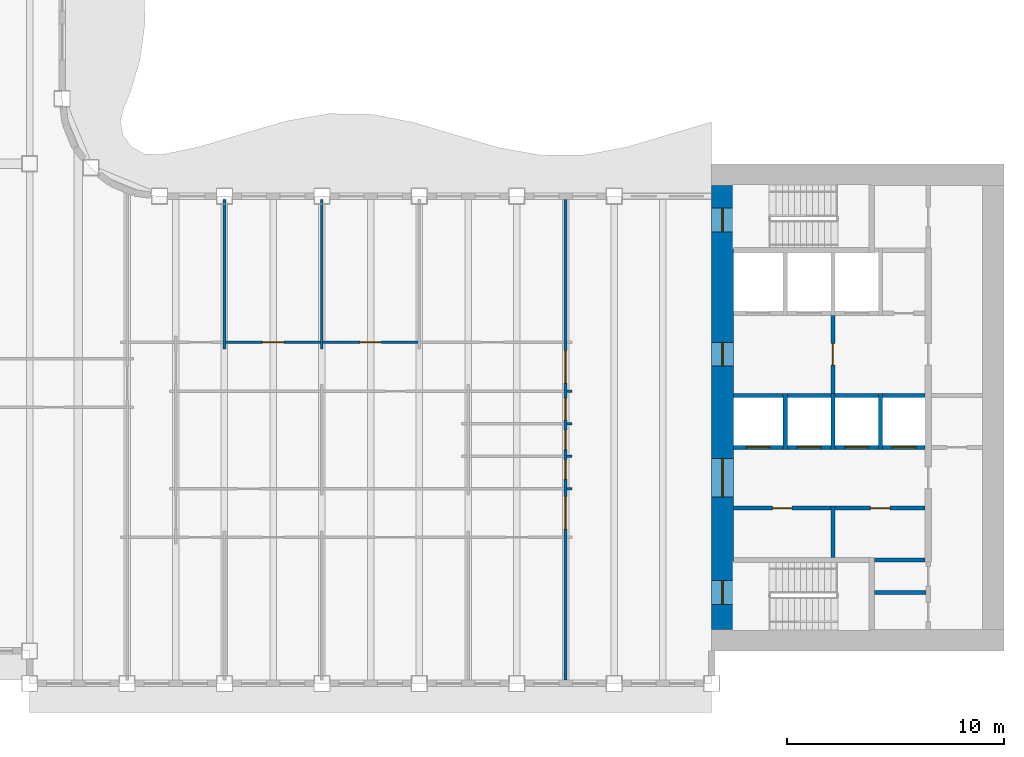
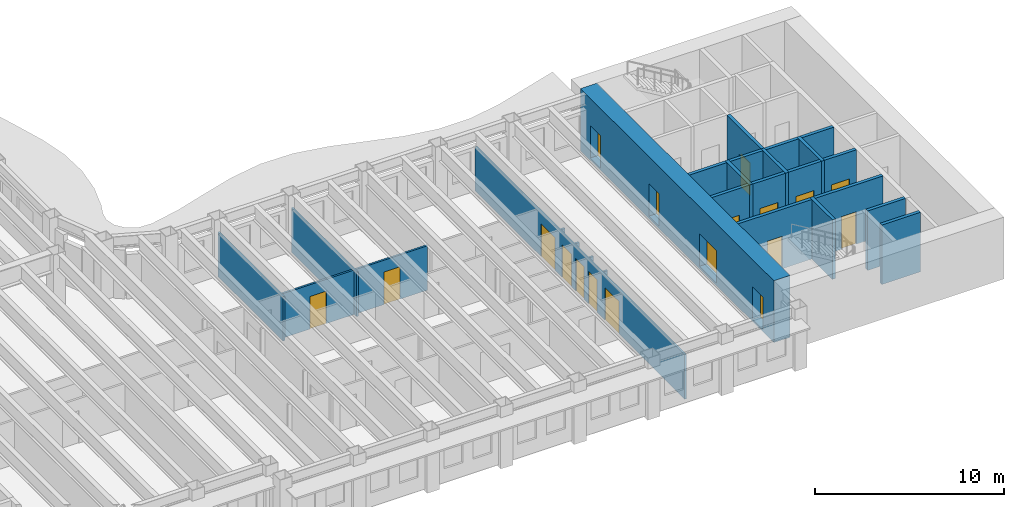
# One storey, part 6 of 16: 27 walls, 18 doors, 18 openings.
"""IFC4 building model written with IfcOpenShell, lengths in metres."""

from ifc_helpers import new_model, si_unit, direction, frame, frame_2d, origin, place, context, subcontext, project, spatial, rectangle, extrude, material, layer, layer_set, type_object, element, fill, save


model = new_model("IFC4")

# Units and contexts
model_context = context("Model", 3, precision=1e-05, world=origin(), true_north=direction((0.0, 1.0)))
body_context = subcontext(model_context, "Body", "Model", "MODEL_VIEW")
ifc_project = project(units=[si_unit("LENGTHUNIT", "METRE"), si_unit("AREAUNIT", "SQUARE_METRE"), si_unit("VOLUMEUNIT", "CUBIC_METRE"), si_unit("PLANEANGLEUNIT", "RADIAN"), si_unit("MASSUNIT", "GRAM", prefix="KILO")], contexts=[model_context])

# Site, building, storey
site_placement = place(None, origin())
site = spatial("IfcSite", under=ifc_project, at=site_placement, CompositionType="ELEMENT")
building_placement = place(site_placement, origin())
building = spatial("IfcBuilding", under=site, at=building_placement, Name="Sennacour Bend Tower", CompositionType="ELEMENT")
storey_placement = place(building_placement, frame((0.0, 0.0, 207.0)))
storey = spatial("IfcBuildingStorey", under=building, at=storey_placement, Name="L47", CompositionType="ELEMENT", Elevation=207.0)

# Wall, openings, doors
ifc_material_1 = material(Name="Concrete C60/75", Category="concrete")
ifc_layer_1 = layer(ifc_material_1, 1.0, Name="Concrete C60/75", Category="concrete")
ifc_layer_set_1 = layer_set([ifc_layer_1], Name="Concrete C60/75")
wall_type_1 = type_object("IfcWallType", Name="Core wall 1000 C60/75", PredefinedType="SHEAR", material=ifc_layer_set_1)
wall_1_placement = place(storey_placement, frame((54.5, 1.0, -0.14990234375), z_axis=(0.0, 0.0, 1.0), x_axis=(0.0, 1.0, 0.0)))
wall_1 = element("IfcWall", 1, at=wall_1_placement, inside=storey, type_object=wall_type_1, Name="Core A wall L47 W", PredefinedType="SHEAR", context=body_context, shape_type="SweptSolid", body=[
    extrude(rectangle(XDim=20.5, YDim=1.0, at=frame_2d((10.25, 0.0))), origin(), (0.0, 0.0, 1.0), 4.0),
])
opening_1_placement = place(wall_1_placement, frame((6.10009765625, 0.0, 0.14990234375)))
opening_1 = element("IfcOpeningElement", 2, at=opening_1_placement, cuts=wall_1, Name="Opening CD", PredefinedType="OPENING", context=body_context, shape_type="SweptSolid", body=[
    extrude(rectangle(XDim=1.800048828125, YDim=2.10009765625, at=frame_2d((0.89990234375, 1.050048828125))), frame((0.0, 0.510009765625, 0.0), z_axis=(0.0, -1.0, 0.0), x_axis=(1.0, 0.0, 0.0)), (0.0, 0.0, 1.0), 1.02001953125),
])
opening_2_placement = place(wall_1_placement, frame((12.14990234375, 0.0, 0.14990234375)))
opening_2 = element("IfcOpeningElement", 3, at=opening_2_placement, cuts=wall_1, Name="Opening FD", PredefinedType="OPENING", context=body_context, shape_type="SweptSolid", body=[
    extrude(rectangle(XDim=1.10009765625, YDim=2.10009765625, at=frame_2d((0.550048828125, 1.050048828125))), frame((0.0, 0.510009765625, 0.0), z_axis=(0.0, -1.0, 0.0), x_axis=(1.0, 0.0, 0.0)), (0.0, 0.0, 1.0), 1.02001953125),
])
opening_3_placement = place(wall_1_placement, frame((1.14990234375, 0.0, 0.14990234375)))
opening_3 = element("IfcOpeningElement", 4, at=opening_3_placement, cuts=wall_1, Name="Opening SD", PredefinedType="OPENING", context=body_context, shape_type="SweptSolid", body=[
    extrude(rectangle(XDim=1.10009765625, YDim=2.10009765625, at=frame_2d((0.550048828125, 1.050048828125))), frame((0.0, 0.510009765625, 0.0), z_axis=(0.0, -1.0, 0.0), x_axis=(1.0, 0.0, 0.0)), (0.0, 0.0, 1.0), 1.02001953125),
])
opening_4_placement = place(wall_1_placement, frame((18.35009765625, 0.0, 0.14990234375)))
opening_4 = element("IfcOpeningElement", 5, at=opening_4_placement, cuts=wall_1, Name="Opening SD", PredefinedType="OPENING", context=body_context, shape_type="SweptSolid", body=[
    extrude(rectangle(XDim=1.10009765625, YDim=2.10009765625, at=frame_2d((0.550048828125, 1.050048828125))), frame((0.0, 0.510009765625, 0.0), z_axis=(0.0, -1.0, 0.0), x_axis=(1.0, 0.0, 0.0)), (0.0, 0.0, 1.0), 1.02001953125),
])
ifc_material_2 = material(Name="Painted steel", Category="steel")
door_type_1 = type_object("IfcDoorType", Name="DR-FFL-1100", OperationType="NOTDEFINED", PredefinedType="DOOR", material=ifc_material_2)
door_1_placement = place(opening_2_placement, origin())
door_1 = element("IfcDoor", 6, at=door_1_placement, inside=storey, type_object=door_type_1, Name="Door", OperationType="SINGLE_SWING_RIGHT", OverallHeight=2.10009765625, OverallWidth=1.10009765625, PredefinedType="DOOR", context=body_context, shape_type="SweptSolid", body=[
    extrude(rectangle(XDim=1.10009765625, YDim=2.10009765625, at=frame_2d((0.550048828125, 1.050048828125))), frame((0.0, 0.02490234375, 0.0), z_axis=(0.0, -1.0, 0.0), x_axis=(1.0, 0.0, 0.0)), (0.0, 0.0, 1.0), 0.050048828125),
])
fill(opening_2, door_1)
door_type_2 = type_object("IfcDoorType", Name="DR-LOBBY-1800", OperationType="NOTDEFINED", PredefinedType="DOOR", material=ifc_material_2)
door_2_placement = place(opening_1_placement, origin())
door_2 = element("IfcDoor", 7, at=door_2_placement, inside=storey, type_object=door_type_2, Name="Door", OperationType="DOUBLE_DOOR_SINGLE_SWING", OverallHeight=2.10009765625, OverallWidth=1.800048828125, PredefinedType="DOOR", context=body_context, shape_type="SweptSolid", body=[
    extrude(rectangle(XDim=1.800048828125, YDim=2.10009765625, at=frame_2d((0.89990234375, 1.050048828125))), frame((0.0, 0.02490234375, 0.0), z_axis=(0.0, -1.0, 0.0), x_axis=(1.0, 0.0, 0.0)), (0.0, 0.0, 1.0), 0.050048828125),
])
fill(opening_1, door_2)
door_type_3 = type_object("IfcDoorType", Name="DR-STAIR-1100", OperationType="NOTDEFINED", PredefinedType="DOOR", material=ifc_material_2)
door_3_placement = place(opening_3_placement, origin())
door_3 = element("IfcDoor", 8, at=door_3_placement, inside=storey, type_object=door_type_3, Name="Door", OperationType="SINGLE_SWING_LEFT", OverallHeight=2.10009765625, OverallWidth=1.10009765625, PredefinedType="DOOR", context=body_context, shape_type="SweptSolid", body=[
    extrude(rectangle(XDim=1.10009765625, YDim=2.10009765625, at=frame_2d((0.550048828125, 1.050048828125))), frame((0.0, 0.02490234375, 0.0), z_axis=(0.0, -1.0, 0.0), x_axis=(1.0, 0.0, 0.0)), (0.0, 0.0, 1.0), 0.050048828125),
])
fill(opening_3, door_3)
door_4_placement = place(opening_4_placement, origin())
door_4 = element("IfcDoor", 9, at=door_4_placement, inside=storey, type_object=door_type_3, Name="Door", OperationType="SINGLE_SWING_RIGHT", OverallHeight=2.10009765625, OverallWidth=1.10009765625, PredefinedType="DOOR", context=body_context, shape_type="SweptSolid", body=[
    extrude(rectangle(XDim=1.10009765625, YDim=2.10009765625, at=frame_2d((0.550048828125, 1.050048828125))), frame((0.0, 0.02490234375, 0.0), z_axis=(0.0, -1.0, 0.0), x_axis=(1.0, 0.0, 0.0)), (0.0, 0.0, 1.0), 0.050048828125),
])
fill(opening_4, door_4)

# Walls
ifc_material_3 = material(Name="Plasterboard partition on steel studs", Category="steel")
ifc_layer_2 = layer(ifc_material_3, 0.1201171875, Name="Plasterboard partition on steel studs", Category="steel")
ifc_layer_set_2 = layer_set([ifc_layer_2], Name="Plasterboard partition on steel studs")
wall_type_2 = type_object("IfcWallType", Name="Partition 120", PredefinedType="PARTITIONING", material=ifc_layer_set_2)
for number, where, z_axis, x_axis, name in (
    (10, (31.5, 13.949951171875, 0.0), (0.0, 0.0, 1.0), (0.0, 1.0, 0.0), "P-L47-W030a"),
    (11, (36.0, 13.949951171875, 0.0), (0.0, 0.0, 1.0), (0.0, 1.0, 0.0), "P-L47-W033a"),
):
    element("IfcWall", number, at=place(storey_placement, frame(where, z_axis=z_axis, x_axis=x_axis)), inside=storey, type_object=wall_type_2, Name=name, PredefinedType="PARTITIONING", context=body_context, shape_type="SweptSolid", body=[
        extrude(rectangle(XDim=6.900146484375, YDim=0.1201171875, at=frame_2d((3.4501953125, 0.0))), origin(), (0.0, 0.0, 1.0), 2.8701171875),
    ])
for number, where, z_axis, x_axis, name in (
    (12, (47.31005859375, 7.5, 0.0), (0.0, 0.0, 1.0), (1.0, 0.0, 0.0), "P-L47-W061ae"),
    (13, (47.31005859375, 9.0, 0.0), (0.0, 0.0, 1.0), (1.0, 0.0, 0.0), "P-L47-W062ac"),
    (14, (47.31005859375, 10.5, 0.0), (0.0, 0.0, 1.0), (1.0, 0.0, 0.0), "P-L47-W065ac"),
    (15, (47.31005859375, 12.0, 0.0), (0.0, 0.0, 1.0), (1.0, 0.0, 0.0), "P-L47-W069ae"),
):
    element("IfcWall", number, at=place(storey_placement, frame(where, z_axis=z_axis, x_axis=x_axis)), inside=storey, type_object=wall_type_2, Name=name, PredefinedType="PARTITIONING", context=body_context, shape_type="SweptSolid", body=[
        extrude(rectangle(XDim=0.239990234375, YDim=0.1201171875, at=frame_2d((0.1201171875, 0.0))), origin(), (0.0, 0.0, 1.0), 2.8701171875),
    ])

# Wall, opening, door
wall_2_placement = place(storey_placement, frame((31.56005859375, 14.25, 0.0), z_axis=(0.0, 0.0, 1.0), x_axis=(1.0, 0.0, 0.0)))
wall_2 = element("IfcWall", 16, at=wall_2_placement, inside=storey, type_object=wall_type_2, Name="P-L47-W071ad", PredefinedType="PARTITIONING", context=body_context, shape_type="SweptSolid", body=[
    extrude(rectangle(XDim=4.3798828125, YDim=0.1201171875, at=frame_2d((2.18994140625, 0.0))), origin(), (0.0, 0.0, 1.0), 2.8701171875),
])
opening_5_placement = place(wall_2_placement, frame((1.68994140625, 0.0, 0.0)))
opening_5 = element("IfcOpeningElement", 17, at=opening_5_placement, cuts=wall_2, Name="Opening OD2", PredefinedType="OPENING", context=body_context, shape_type="SweptSolid", body=[
    extrude(rectangle(XDim=1.0, YDim=2.10009765625, at=frame_2d((0.5, 1.050048828125))), frame((0.0, 0.070068359375, 0.0), z_axis=(0.0, -1.0, 0.0), x_axis=(1.0, 0.0, 0.0)), (0.0, 0.0, 1.0), 0.14013671875),
])
ifc_material_4 = material(Name="Timber", Category="wood")
door_type_4 = type_object("IfcDoorType", Name="DR-OFFICE-1000", OperationType="NOTDEFINED", PredefinedType="DOOR", material=ifc_material_4)
door_5_placement = place(opening_5_placement, origin())
door_5 = element("IfcDoor", 18, at=door_5_placement, inside=storey, type_object=door_type_4, Name="Door", OperationType="SINGLE_SWING_LEFT", OverallHeight=2.10009765625, OverallWidth=1.0, PredefinedType="DOOR", context=body_context, shape_type="SweptSolid", body=[
    extrude(rectangle(XDim=1.0, YDim=2.10009765625, at=frame_2d((0.5, 1.050048828125))), frame((0.0, 0.02490234375, 0.0), z_axis=(0.0, -1.0, 0.0), x_axis=(1.0, 0.0, 0.0)), (0.0, 0.0, 1.0), 0.050048828125),
])
fill(opening_5, door_5)

wall_3_placement = place(storey_placement, frame((36.06005859375, 14.25, 0.0), z_axis=(0.0, 0.0, 1.0), x_axis=(1.0, 0.0, 0.0)))
wall_3 = element("IfcWall", 19, at=wall_3_placement, inside=storey, type_object=wall_type_2, Name="P-L47-W071ae", PredefinedType="PARTITIONING", context=body_context, shape_type="SweptSolid", body=[
    extrude(rectangle(XDim=4.3798828125, YDim=0.1201171875, at=frame_2d((2.18994140625, 0.0))), origin(), (0.0, 0.0, 1.0), 2.8701171875),
])
opening_6_placement = place(wall_3_placement, frame((1.68994140625, 0.0, 0.0)))
opening_6 = element("IfcOpeningElement", 20, at=opening_6_placement, cuts=wall_3, Name="Opening OD2", PredefinedType="OPENING", context=body_context, shape_type="SweptSolid", body=[
    extrude(rectangle(XDim=1.0, YDim=2.10009765625, at=frame_2d((0.5, 1.050048828125))), frame((0.0, 0.070068359375, 0.0), z_axis=(0.0, -1.0, 0.0), x_axis=(1.0, 0.0, 0.0)), (0.0, 0.0, 1.0), 0.14013671875),
])
door_6_placement = place(opening_6_placement, origin())
door_6 = element("IfcDoor", 21, at=door_6_placement, inside=storey, type_object=door_type_4, Name="Door", OperationType="SINGLE_SWING_LEFT", OverallHeight=2.10009765625, OverallWidth=1.0, PredefinedType="DOOR", context=body_context, shape_type="SweptSolid", body=[
    extrude(rectangle(XDim=1.0, YDim=2.10009765625, at=frame_2d((0.5, 1.050048828125))), frame((0.0, 0.02490234375, 0.0), z_axis=(0.0, -1.0, 0.0), x_axis=(1.0, 0.0, 0.0)), (0.0, 0.0, 1.0), 0.050048828125),
])
fill(opening_6, door_6)

# Wall, openings, doors
ifc_layer_3 = layer(ifc_material_3, 0.1201171875, Name="Plasterboard partition on steel studs", Category="steel")
ifc_layer_set_3 = layer_set([ifc_layer_3], Name="Plasterboard partition on steel studs")
wall_type_3 = type_object("IfcWallType", Name="Partition 120 EI 30", PredefinedType="PARTITIONING", material=ifc_layer_set_3)
wall_4_placement = place(storey_placement, frame((47.25, -1.35009765625, 0.0), z_axis=(0.0, 0.0, 1.0), x_axis=(0.0, 1.0, 0.0)))
wall_4 = element("IfcWall", 22, at=wall_4_placement, inside=storey, type_object=wall_type_3, Name="P-L47-W037a", PredefinedType="PARTITIONING", context=body_context, shape_type="SweptSolid", body=[
    extrude(rectangle(XDim=22.2001953125, YDim=0.1201171875, at=frame_2d((11.10009765625, 0.0))), origin(), (0.0, 0.0, 1.0), 2.8701171875),
])
opening_7_placement = place(wall_4_placement, frame((6.97509765625, 0.0, 0.0)))
opening_7 = element("IfcOpeningElement", 23, at=opening_7_placement, cuts=wall_4, Name="Opening KD", PredefinedType="OPENING", context=body_context, shape_type="SweptSolid", body=[
    extrude(rectangle(XDim=1.5, YDim=2.10009765625, at=frame_2d((0.75, 1.050048828125))), frame((0.0, 0.070068359375, 0.0), z_axis=(0.0, -1.0, 0.0), x_axis=(1.0, 0.0, 0.0)), (0.0, 0.0, 1.0), 0.14013671875),
])
opening_8_placement = place(wall_4_placement, frame((13.72509765625, 0.0, 0.0)))
opening_8 = element("IfcOpeningElement", 24, at=opening_8_placement, cuts=wall_4, Name="Opening KD", PredefinedType="OPENING", context=body_context, shape_type="SweptSolid", body=[
    extrude(rectangle(XDim=1.5, YDim=2.10009765625, at=frame_2d((0.75, 1.050048828125))), frame((0.0, 0.070068359375, 0.0), z_axis=(0.0, -1.0, 0.0), x_axis=(1.0, 0.0, 0.0)), (0.0, 0.0, 1.0), 0.14013671875),
])
opening_9_placement = place(wall_4_placement, frame((9.2900390625, 0.0, 0.0)))
opening_9 = element("IfcOpeningElement", 25, at=opening_9_placement, cuts=wall_4, Name="Opening WD", PredefinedType="OPENING", context=body_context, shape_type="SweptSolid", body=[
    extrude(rectangle(XDim=0.89990234375, YDim=2.10009765625, at=frame_2d((0.449951171875, 1.050048828125))), frame((0.0, 0.070068359375, 0.0), z_axis=(0.0, -1.0, 0.0), x_axis=(1.0, 0.0, 0.0)), (0.0, 0.0, 1.0), 0.14013671875),
])
opening_10_placement = place(wall_4_placement, frame((10.650146484375, 0.0, 0.0)))
opening_10 = element("IfcOpeningElement", 26, at=opening_10_placement, cuts=wall_4, Name="Opening WD", PredefinedType="OPENING", context=body_context, shape_type="SweptSolid", body=[
    extrude(rectangle(XDim=0.89990234375, YDim=2.10009765625, at=frame_2d((0.449951171875, 1.050048828125))), frame((0.0, 0.070068359375, 0.0), z_axis=(0.0, -1.0, 0.0), x_axis=(1.0, 0.0, 0.0)), (0.0, 0.0, 1.0), 0.14013671875),
])
opening_11_placement = place(wall_4_placement, frame((12.010009765625, 0.0, 0.0)))
opening_11 = element("IfcOpeningElement", 27, at=opening_11_placement, cuts=wall_4, Name="Opening AD", PredefinedType="OPENING", context=body_context, shape_type="SweptSolid", body=[
    extrude(rectangle(XDim=1.0, YDim=2.10009765625, at=frame_2d((0.5, 1.050048828125))), frame((0.0, 0.070068359375, 0.0), z_axis=(0.0, -1.0, 0.0), x_axis=(1.0, 0.0, 0.0)), (0.0, 0.0, 1.0), 0.14013671875),
])
door_type_5 = type_object("IfcDoorType", Name="DR-ACC-WC-1000", OperationType="NOTDEFINED", PredefinedType="DOOR", material=ifc_material_4)
door_7_placement = place(opening_11_placement, origin())
door_7 = element("IfcDoor", 28, at=door_7_placement, inside=storey, type_object=door_type_5, Name="Door", OperationType="SINGLE_SWING_RIGHT", OverallHeight=2.10009765625, OverallWidth=1.0, PredefinedType="DOOR", context=body_context, shape_type="SweptSolid", body=[
    extrude(rectangle(XDim=1.0, YDim=2.10009765625, at=frame_2d((0.5, 1.050048828125))), frame((0.0, 0.02490234375, 0.0), z_axis=(0.0, -1.0, 0.0), x_axis=(1.0, 0.0, 0.0)), (0.0, 0.0, 1.0), 0.050048828125),
])
fill(opening_11, door_7)
door_type_6 = type_object("IfcDoorType", Name="DR-CORRIDOR-1500", OperationType="NOTDEFINED", PredefinedType="DOOR", material=ifc_material_2)
door_8_placement = place(opening_7_placement, origin())
door_8 = element("IfcDoor", 29, at=door_8_placement, inside=storey, type_object=door_type_6, Name="Door", OperationType="SINGLE_SWING_LEFT", OverallHeight=2.10009765625, OverallWidth=1.5, PredefinedType="DOOR", context=body_context, shape_type="SweptSolid", body=[
    extrude(rectangle(XDim=1.5, YDim=2.10009765625, at=frame_2d((0.75, 1.050048828125))), frame((0.0, 0.02490234375, 0.0), z_axis=(0.0, -1.0, 0.0), x_axis=(1.0, 0.0, 0.0)), (0.0, 0.0, 1.0), 0.050048828125),
])
fill(opening_7, door_8)
door_9_placement = place(opening_8_placement, origin())
door_9 = element("IfcDoor", 30, at=door_9_placement, inside=storey, type_object=door_type_6, Name="Door", OperationType="SINGLE_SWING_RIGHT", OverallHeight=2.10009765625, OverallWidth=1.5, PredefinedType="DOOR", context=body_context, shape_type="SweptSolid", body=[
    extrude(rectangle(XDim=1.5, YDim=2.10009765625, at=frame_2d((0.75, 1.050048828125))), frame((0.0, 0.02490234375, 0.0), z_axis=(0.0, -1.0, 0.0), x_axis=(1.0, 0.0, 0.0)), (0.0, 0.0, 1.0), 0.050048828125),
])
fill(opening_8, door_9)
door_type_7 = type_object("IfcDoorType", Name="DR-WC-900", OperationType="NOTDEFINED", PredefinedType="DOOR", material=ifc_material_4)
door_10_placement = place(opening_9_placement, origin())
door_10 = element("IfcDoor", 31, at=door_10_placement, inside=storey, type_object=door_type_7, Name="Door", OperationType="SINGLE_SWING_LEFT", OverallHeight=2.10009765625, OverallWidth=0.89990234375, PredefinedType="DOOR", context=body_context, shape_type="SweptSolid", body=[
    extrude(rectangle(XDim=0.89990234375, YDim=2.10009765625, at=frame_2d((0.449951171875, 1.050048828125))), frame((0.0, 0.02490234375, 0.0), z_axis=(0.0, -1.0, 0.0), x_axis=(1.0, 0.0, 0.0)), (0.0, 0.0, 1.0), 0.050048828125),
])
fill(opening_9, door_10)
door_11_placement = place(opening_10_placement, origin())
door_11 = element("IfcDoor", 32, at=door_11_placement, inside=storey, type_object=door_type_7, Name="Door", OperationType="SINGLE_SWING_RIGHT", OverallHeight=2.10009765625, OverallWidth=0.89990234375, PredefinedType="DOOR", context=body_context, shape_type="SweptSolid", body=[
    extrude(rectangle(XDim=0.89990234375, YDim=2.10009765625, at=frame_2d((0.449951171875, 1.050048828125))), frame((0.0, 0.02490234375, 0.0), z_axis=(0.0, -1.0, 0.0), x_axis=(1.0, 0.0, 0.0)), (0.0, 0.0, 1.0), 0.050048828125),
])
fill(opening_10, door_11)

# Walls
ifc_material_5 = material(Name="Fire-rated plasterboard partition on steel studs", Category="steel")
ifc_layer_4 = layer(ifc_material_5, 0.199951171875, Name="Fire-rated plasterboard partition on steel studs", Category="steel")
ifc_layer_set_4 = layer_set([ifc_layer_4], Name="Fire-rated plasterboard partition on steel studs")
wall_type_4 = type_object("IfcWallType", Name="Rated partition 200", PredefinedType="PARTITIONING", material=ifc_layer_set_4)
for number, where, z_axis, x_axis, name in (
    (33, (59.60009765625, 4.324951171875, 0.0), (0.0, 0.0, 1.0), (0.0, 1.0, 0.0), "P-L47-W041"),
    (34, (61.52490234375, 2.699951171875, 0.0), (0.0, 0.0, 1.0), (1.0, 0.0, 0.0), "P-L47-W054"),
):
    element("IfcWall", number, at=place(storey_placement, frame(where, z_axis=z_axis, x_axis=x_axis)), inside=storey, type_object=wall_type_4, Name=name, PredefinedType="PARTITIONING", context=body_context, shape_type="SweptSolid", body=[
        extrude(rectangle(XDim=2.375, YDim=0.199951171875, at=frame_2d((1.1875, 0.0))), origin(), (0.0, 0.0, 1.0), 3.85009765625),
    ])
wall_5_placement = place(storey_placement, frame((61.52490234375, 4.199951171875, 0.0), z_axis=(0.0, 0.0, 1.0), x_axis=(1.0, 0.0, 0.0)))
element("IfcWall", 35, at=wall_5_placement, inside=storey, type_object=wall_type_4, Name="P-L47-W058", PredefinedType="PARTITIONING", context=body_context, shape_type="SweptSolid", body=[
    extrude(rectangle(XDim=2.3251953125, YDim=0.199951171875, at=frame_2d((1.16259765625, 0.0))), origin(), (0.0, 0.0, 1.0), 3.85009765625),
])

# Wall, opening, door
wall_6_placement = place(storey_placement, frame((55.0, 6.60009765625, 0.0), z_axis=(0.0, 0.0, 1.0), x_axis=(1.0, 0.0, 0.0)))
wall_6 = element("IfcWall", 36, at=wall_6_placement, inside=storey, type_object=wall_type_4, Name="P-L47-W060a", PredefinedType="PARTITIONING", context=body_context, shape_type="SweptSolid", body=[
    extrude(rectangle(XDim=4.5, YDim=0.199951171875, at=frame_2d((2.25, 0.0))), origin(), (0.0, 0.0, 1.0), 3.85009765625),
])
opening_12_placement = place(wall_6_placement, frame((1.800048828125, 0.0, 0.0)))
opening_12 = element("IfcOpeningElement", 37, at=opening_12_placement, cuts=wall_6, Name="Opening SV", PredefinedType="OPENING", context=body_context, shape_type="SweptSolid", body=[
    extrude(rectangle(XDim=0.89990234375, YDim=2.10009765625, at=frame_2d((0.449951171875, 1.050048828125))), frame((0.0, 0.10986328125, 0.0), z_axis=(0.0, -1.0, 0.0), x_axis=(1.0, 0.0, 0.0)), (0.0, 0.0, 1.0), 0.219970703125),
])
door_type_8 = type_object("IfcDoorType", Name="DR-SERVICE-900", OperationType="NOTDEFINED", PredefinedType="DOOR", material=ifc_material_2)
door_12_placement = place(opening_12_placement, origin())
door_12 = element("IfcDoor", 38, at=door_12_placement, inside=storey, type_object=door_type_8, Name="Door", OperationType="SINGLE_SWING_LEFT", OverallHeight=2.10009765625, OverallWidth=0.89990234375, PredefinedType="DOOR", context=body_context, shape_type="SweptSolid", body=[
    extrude(rectangle(XDim=0.89990234375, YDim=2.10009765625, at=frame_2d((0.449951171875, 1.050048828125))), frame((0.0, 0.02490234375, 0.0), z_axis=(0.0, -1.0, 0.0), x_axis=(1.0, 0.0, 0.0)), (0.0, 0.0, 1.0), 0.050048828125),
])
fill(opening_12, door_12)

wall_7_placement = place(storey_placement, frame((59.699951171875, 6.60009765625, 0.0), z_axis=(0.0, 0.0, 1.0), x_axis=(1.0, 0.0, 0.0)))
wall_7 = element("IfcWall", 39, at=wall_7_placement, inside=storey, type_object=wall_type_4, Name="P-L47-W060b", PredefinedType="PARTITIONING", context=body_context, shape_type="SweptSolid", body=[
    extrude(rectangle(XDim=4.150146484375, YDim=0.199951171875, at=frame_2d((2.0751953125, 0.0))), origin(), (0.0, 0.0, 1.0), 3.85009765625),
])
opening_13_placement = place(wall_7_placement, frame((1.625, 0.0, 0.0)))
opening_13 = element("IfcOpeningElement", 40, at=opening_13_placement, cuts=wall_7, Name="Opening SV", PredefinedType="OPENING", context=body_context, shape_type="SweptSolid", body=[
    extrude(rectangle(XDim=0.89990234375, YDim=2.10009765625, at=frame_2d((0.449951171875, 1.050048828125))), frame((0.0, 0.10986328125, 0.0), z_axis=(0.0, -1.0, 0.0), x_axis=(1.0, 0.0, 0.0)), (0.0, 0.0, 1.0), 0.219970703125),
])
door_13_placement = place(opening_13_placement, origin())
door_13 = element("IfcDoor", 41, at=door_13_placement, inside=storey, type_object=door_type_8, Name="Door", OperationType="SINGLE_SWING_LEFT", OverallHeight=2.10009765625, OverallWidth=0.89990234375, PredefinedType="DOOR", context=body_context, shape_type="SweptSolid", body=[
    extrude(rectangle(XDim=0.89990234375, YDim=2.10009765625, at=frame_2d((0.449951171875, 1.050048828125))), frame((0.0, 0.02490234375, 0.0), z_axis=(0.0, -1.0, 0.0), x_axis=(1.0, 0.0, 0.0)), (0.0, 0.0, 1.0), 0.050048828125),
])
fill(opening_13, door_13)

ifc_layer_5 = layer(ifc_material_5, 0.199951171875, Name="Fire-rated plasterboard partition on steel studs", Category="steel")
ifc_layer_set_5 = layer_set([ifc_layer_5], Name="Fire-rated plasterboard partition on steel studs")
wall_type_5 = type_object("IfcWallType", Name="Rated partition 200 EI 90", PredefinedType="PARTITIONING", material=ifc_layer_set_5)
wall_8_placement = place(storey_placement, frame((59.60009765625, 11.89990234375, 0.0), z_axis=(0.0, 0.0, 1.0), x_axis=(0.0, 1.0, 0.0)))
wall_8 = element("IfcWall", 42, at=wall_8_placement, inside=storey, type_object=wall_type_5, Name="P-L47-W043", PredefinedType="PARTITIONING", context=body_context, shape_type="SweptSolid", body=[
    extrude(rectangle(XDim=3.60009765625, YDim=0.199951171875, at=frame_2d((1.800048828125, 0.0))), origin(), (0.0, 0.0, 1.0), 3.85009765625),
])
opening_14_placement = place(wall_8_placement, frame((1.300048828125, 0.0, 0.0)))
opening_14 = element("IfcOpeningElement", 43, at=opening_14_placement, cuts=wall_8, Name="Opening FD2", PredefinedType="OPENING", context=body_context, shape_type="SweptSolid", body=[
    extrude(rectangle(XDim=1.0, YDim=2.10009765625, at=frame_2d((0.5, 1.050048828125))), frame((0.0, 0.10986328125, 0.0), z_axis=(0.0, -1.0, 0.0), x_axis=(1.0, 0.0, 0.0)), (0.0, 0.0, 1.0), 0.219970703125),
])
door_type_9 = type_object("IfcDoorType", Name="DR-FFL-1000", OperationType="NOTDEFINED", PredefinedType="DOOR", material=ifc_material_2)
door_14_placement = place(opening_14_placement, origin())
door_14 = element("IfcDoor", 44, at=door_14_placement, inside=storey, type_object=door_type_9, Name="Door", OperationType="SINGLE_SWING_LEFT", OverallHeight=2.10009765625, OverallWidth=1.0, PredefinedType="DOOR", context=body_context, shape_type="SweptSolid", body=[
    extrude(rectangle(XDim=1.0, YDim=2.10009765625, at=frame_2d((0.5, 1.050048828125))), frame((0.0, 0.02490234375, 0.0), z_axis=(0.0, -1.0, 0.0), x_axis=(1.0, 0.0, 0.0)), (0.0, 0.0, 1.0), 0.050048828125),
])
fill(opening_14, door_14)

# Walls
ifc_material_6 = material(Name="Concrete C50/60", Category="concrete")
ifc_layer_6 = layer(ifc_material_6, 0.199951171875, Name="Concrete C50/60", Category="concrete")
ifc_layer_set_6 = layer_set([ifc_layer_6], Name="Concrete C50/60")
wall_type_6 = type_object("IfcWallType", Name="Shaft wall 200", PredefinedType="SOLIDWALL", material=ifc_layer_set_6)
for number, where, z_axis, x_axis, name in (
    (45, (57.39990234375, 9.300048828125, 0.0), (0.0, 0.0, 1.0), (0.0, 1.0, 0.0), "P-L47-W039"),
    (46, (59.60009765625, 9.300048828125, 0.0), (0.0, 0.0, 1.0), (0.0, 1.0, 0.0), "P-L47-W042"),
    (47, (61.800048828125, 9.300048828125, 0.0), (0.0, 0.0, 1.0), (0.0, 1.0, 0.0), "P-L47-W047"),
):
    element("IfcWall", number, at=place(storey_placement, frame(where, z_axis=z_axis, x_axis=x_axis)), inside=storey, type_object=wall_type_6, Name=name, PredefinedType="SOLIDWALL", context=body_context, shape_type="SweptSolid", body=[
        extrude(rectangle(XDim=2.599853515625, YDim=0.199951171875, at=frame_2d((1.2998046875, 0.0))), origin(), (0.0, 0.0, 1.0), 3.85009765625),
    ])

# Wall, opening, door
wall_9_placement = place(storey_placement, frame((55.0, 9.39990234375, 0.0), z_axis=(0.0, 0.0, 1.0), x_axis=(1.0, 0.0, 0.0)))
wall_9 = element("IfcWall", 48, at=wall_9_placement, inside=storey, type_object=wall_type_6, Name="P-L47-W063a", PredefinedType="SOLIDWALL", context=body_context, shape_type="SweptSolid", body=[
    extrude(rectangle(XDim=2.300048828125, YDim=0.199951171875, at=frame_2d((1.14990234375, 0.0))), origin(), (0.0, 0.0, 1.0), 3.85009765625),
])
opening_15_placement = place(wall_9_placement, frame((0.60009765625, 0.0, 0.011962890625)))
opening_15 = element("IfcOpeningElement", 49, at=opening_15_placement, cuts=wall_9, Name="Opening LD", PredefinedType="OPENING", context=body_context, shape_type="SweptSolid", body=[
    extrude(rectangle(XDim=1.10009765625, YDim=2.10009765625, at=frame_2d((0.550048828125, 1.050048828125))), frame((0.0, 0.10986328125, 0.0), z_axis=(0.0, -1.0, 0.0), x_axis=(1.0, 0.0, 0.0)), (0.0, 0.0, 1.0), 0.219970703125),
])
ifc_material_7 = material(Name="Stainless steel", Category="steel")
door_type_10 = type_object("IfcDoorType", Name="DR-LANDING-1100", OperationType="NOTDEFINED", PredefinedType="DOOR", material=ifc_material_7)
door_15_placement = place(opening_15_placement, origin())
door_15 = element("IfcDoor", 50, at=door_15_placement, inside=storey, type_object=door_type_10, Name="Lift landing door HA1", OperationType="SLIDING_TO_LEFT", OverallHeight=2.10009765625, OverallWidth=1.10009765625, PredefinedType="DOOR", context=body_context, shape_type="SweptSolid", body=[
    extrude(rectangle(XDim=1.10009765625, YDim=2.10009765625, at=frame_2d((0.550048828125, 1.050048828125))), frame((0.0, 0.02490234375, 0.0), z_axis=(0.0, -1.0, 0.0), x_axis=(1.0, 0.0, 0.0)), (0.0, 0.0, 1.0), 0.050048828125),
])
fill(opening_15, door_15)

wall_10_placement = place(storey_placement, frame((57.5, 9.39990234375, 0.0), z_axis=(0.0, 0.0, 1.0), x_axis=(1.0, 0.0, 0.0)))
wall_10 = element("IfcWall", 51, at=wall_10_placement, inside=storey, type_object=wall_type_6, Name="P-L47-W063b", PredefinedType="SOLIDWALL", context=body_context, shape_type="SweptSolid", body=[
    extrude(rectangle(XDim=2.0, YDim=0.199951171875, at=frame_2d((1.0, 0.0))), origin(), (0.0, 0.0, 1.0), 3.85009765625),
])
opening_16_placement = place(wall_10_placement, frame((0.449951171875, 0.0, 0.011962890625)))
opening_16 = element("IfcOpeningElement", 52, at=opening_16_placement, cuts=wall_10, Name="Opening LD", PredefinedType="OPENING", context=body_context, shape_type="SweptSolid", body=[
    extrude(rectangle(XDim=1.10009765625, YDim=2.10009765625, at=frame_2d((0.550048828125, 1.050048828125))), frame((0.0, 0.10986328125, 0.0), z_axis=(0.0, -1.0, 0.0), x_axis=(1.0, 0.0, 0.0)), (0.0, 0.0, 1.0), 0.219970703125),
])
door_16_placement = place(opening_16_placement, origin())
door_16 = element("IfcDoor", 53, at=door_16_placement, inside=storey, type_object=door_type_10, Name="Lift landing door HA2", OperationType="SLIDING_TO_RIGHT", OverallHeight=2.10009765625, OverallWidth=1.10009765625, PredefinedType="DOOR", context=body_context, shape_type="SweptSolid", body=[
    extrude(rectangle(XDim=1.10009765625, YDim=2.10009765625, at=frame_2d((0.550048828125, 1.050048828125))), frame((0.0, 0.02490234375, 0.0), z_axis=(0.0, -1.0, 0.0), x_axis=(1.0, 0.0, 0.0)), (0.0, 0.0, 1.0), 0.050048828125),
])
fill(opening_16, door_16)

wall_11_placement = place(storey_placement, frame((59.699951171875, 9.39990234375, 0.0), z_axis=(0.0, 0.0, 1.0), x_axis=(1.0, 0.0, 0.0)))
wall_11 = element("IfcWall", 54, at=wall_11_placement, inside=storey, type_object=wall_type_6, Name="P-L47-W063c", PredefinedType="SOLIDWALL", context=body_context, shape_type="SweptSolid", body=[
    extrude(rectangle(XDim=2.0, YDim=0.199951171875, at=frame_2d((1.0, 0.0))), origin(), (0.0, 0.0, 1.0), 3.85009765625),
])
opening_17_placement = place(wall_11_placement, frame((0.449951171875, 0.0, 0.011962890625)))
opening_17 = element("IfcOpeningElement", 55, at=opening_17_placement, cuts=wall_11, Name="Opening LD", PredefinedType="OPENING", context=body_context, shape_type="SweptSolid", body=[
    extrude(rectangle(XDim=1.10009765625, YDim=2.10009765625, at=frame_2d((0.550048828125, 1.050048828125))), frame((0.0, 0.10986328125, 0.0), z_axis=(0.0, -1.0, 0.0), x_axis=(1.0, 0.0, 0.0)), (0.0, 0.0, 1.0), 0.219970703125),
])
door_17_placement = place(opening_17_placement, origin())
door_17 = element("IfcDoor", 56, at=door_17_placement, inside=storey, type_object=door_type_10, Name="Lift landing door HA3", OperationType="SLIDING_TO_LEFT", OverallHeight=2.10009765625, OverallWidth=1.10009765625, PredefinedType="DOOR", context=body_context, shape_type="SweptSolid", body=[
    extrude(rectangle(XDim=1.10009765625, YDim=2.10009765625, at=frame_2d((0.550048828125, 1.050048828125))), frame((0.0, 0.02490234375, 0.0), z_axis=(0.0, -1.0, 0.0), x_axis=(1.0, 0.0, 0.0)), (0.0, 0.0, 1.0), 0.050048828125),
])
fill(opening_17, door_17)

wall_12_placement = place(storey_placement, frame((61.89990234375, 9.39990234375, 0.0), z_axis=(0.0, 0.0, 1.0), x_axis=(1.0, 0.0, 0.0)))
wall_12 = element("IfcWall", 57, at=wall_12_placement, inside=storey, type_object=wall_type_6, Name="P-L47-W063d", PredefinedType="SOLIDWALL", context=body_context, shape_type="SweptSolid", body=[
    extrude(rectangle(XDim=1.9501953125, YDim=0.199951171875, at=frame_2d((0.97509765625, 0.0))), origin(), (0.0, 0.0, 1.0), 3.85009765625),
])
opening_18_placement = place(wall_12_placement, frame((0.425048828125, 0.0, 0.011962890625)))
opening_18 = element("IfcOpeningElement", 58, at=opening_18_placement, cuts=wall_12, Name="Opening LD", PredefinedType="OPENING", context=body_context, shape_type="SweptSolid", body=[
    extrude(rectangle(XDim=1.10009765625, YDim=2.10009765625, at=frame_2d((0.550048828125, 1.050048828125))), frame((0.0, 0.10986328125, 0.0), z_axis=(0.0, -1.0, 0.0), x_axis=(1.0, 0.0, 0.0)), (0.0, 0.0, 1.0), 0.219970703125),
])
door_18_placement = place(opening_18_placement, origin())
door_18 = element("IfcDoor", 59, at=door_18_placement, inside=storey, type_object=door_type_10, Name="Lift landing door HA4", OperationType="SLIDING_TO_RIGHT", OverallHeight=2.10009765625, OverallWidth=1.10009765625, PredefinedType="DOOR", context=body_context, shape_type="SweptSolid", body=[
    extrude(rectangle(XDim=1.10009765625, YDim=2.10009765625, at=frame_2d((0.550048828125, 1.050048828125))), frame((0.0, 0.02490234375, 0.0), z_axis=(0.0, -1.0, 0.0), x_axis=(1.0, 0.0, 0.0)), (0.0, 0.0, 1.0), 0.050048828125),
])
fill(opening_18, door_18)

# Walls
wall_13_placement = place(storey_placement, frame((55.0, 11.800048828125, 0.0), z_axis=(0.0, 0.0, 1.0), x_axis=(1.0, 0.0, 0.0)))
element("IfcWall", 60, at=wall_13_placement, inside=storey, type_object=wall_type_6, Name="P-L47-W067a", PredefinedType="SOLIDWALL", context=body_context, shape_type="SweptSolid", body=[
    extrude(rectangle(XDim=2.300048828125, YDim=0.199951171875, at=frame_2d((1.14990234375, 0.0))), origin(), (0.0, 0.0, 1.0), 3.85009765625),
])
for number, where, z_axis, x_axis, name in (
    (61, (57.5, 11.800048828125, 0.0), (0.0, 0.0, 1.0), (1.0, 0.0, 0.0), "P-L47-W067b"),
    (62, (59.699951171875, 11.800048828125, 0.0), (0.0, 0.0, 1.0), (1.0, 0.0, 0.0), "P-L47-W067c"),
):
    element("IfcWall", number, at=place(storey_placement, frame(where, z_axis=z_axis, x_axis=x_axis)), inside=storey, type_object=wall_type_6, Name=name, PredefinedType="SOLIDWALL", context=body_context, shape_type="SweptSolid", body=[
        extrude(rectangle(XDim=2.0, YDim=0.199951171875, at=frame_2d((1.0, 0.0))), origin(), (0.0, 0.0, 1.0), 3.85009765625),
    ])
wall_14_placement = place(storey_placement, frame((61.89990234375, 11.800048828125, 0.0), z_axis=(0.0, 0.0, 1.0), x_axis=(1.0, 0.0, 0.0)))
element("IfcWall", 63, at=wall_14_placement, inside=storey, type_object=wall_type_6, Name="P-L47-W067d", PredefinedType="SOLIDWALL", context=body_context, shape_type="SweptSolid", body=[
    extrude(rectangle(XDim=1.9501953125, YDim=0.199951171875, at=frame_2d((0.97509765625, 0.0))), origin(), (0.0, 0.0, 1.0), 3.85009765625),
])

save(model, "model.ifc")
